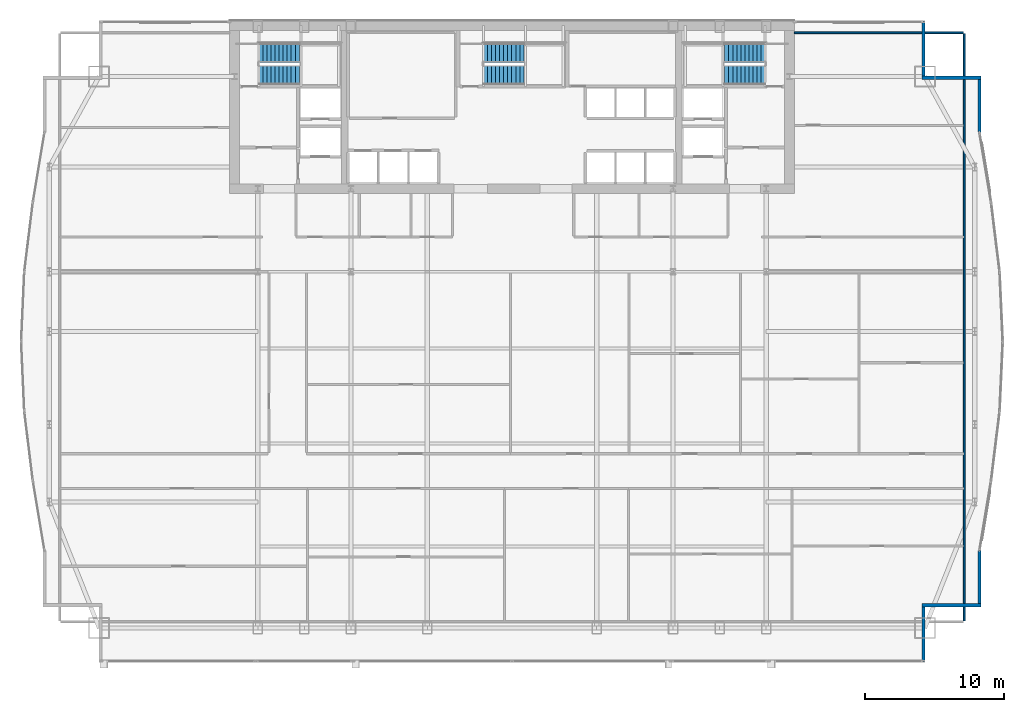
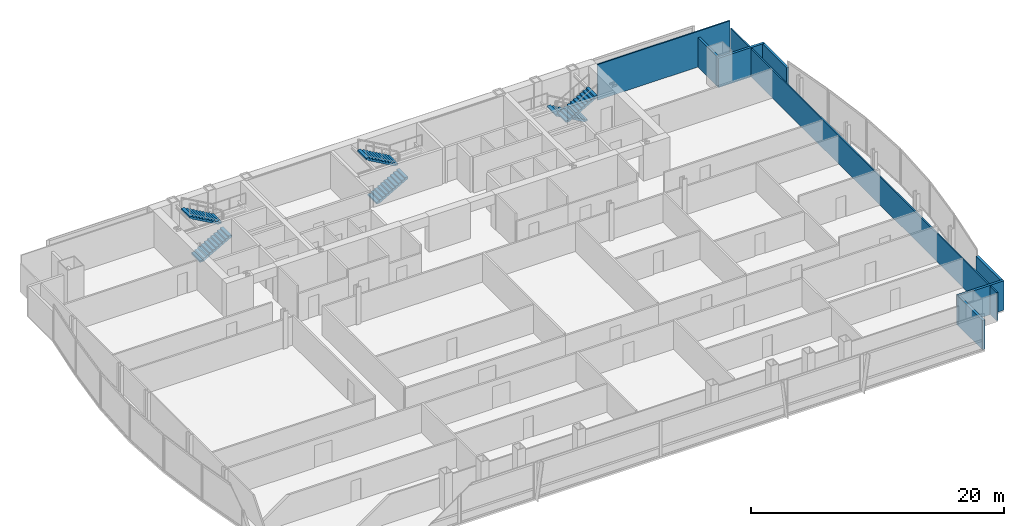
# One storey, part 29 of 31: 8 walls, 6 stair flights, 3 elements without a shape of their own.
"""IFC4 building model written with IfcOpenShell, lengths in metres."""

from ifc_helpers import new_model, si_unit, direction, frame, frame_2d, origin, place, context, subcontext, project, spatial, polyline, rectangle, outline, extrude, material, layer, layer_set, type_object, element, aggregate, save


model = new_model("IFC4")

# Units and contexts
model_context = context("Model", 3, precision=1e-05, world=origin(), true_north=direction((0.0, 1.0)))
body_context = subcontext(model_context, "Body", "Model", "MODEL_VIEW")
ifc_project = project(units=[si_unit("LENGTHUNIT", "METRE"), si_unit("AREAUNIT", "SQUARE_METRE"), si_unit("VOLUMEUNIT", "CUBIC_METRE"), si_unit("PLANEANGLEUNIT", "RADIAN"), si_unit("MASSUNIT", "GRAM", prefix="KILO")], contexts=[model_context])

# Site, building, storey
site_placement = place(None, origin())
site = spatial("IfcSite", under=ifc_project, at=site_placement, CompositionType="ELEMENT")
building_placement = place(site_placement, origin())
building = spatial("IfcBuilding", under=site, at=building_placement, Name="Khoronbel Lancet Exchange", CompositionType="ELEMENT")
storey_placement = place(building_placement, frame((0.0, 0.0, 121.800048828125)))
storey = spatial("IfcBuildingStorey", under=building, at=storey_placement, Name="L29", CompositionType="ELEMENT", Elevation=121.800048828125)

# Walls
ifc_material_1 = material(Name="Precast concrete C40/50", Category="concrete")
ifc_layer_1 = layer(ifc_material_1, 0.25, Name="Precast concrete C40/50")
ifc_layer_set_1 = layer_set([ifc_layer_1], Name="Precast concrete C40/50")
wall_type_1 = type_object("IfcWallType", Name="WL-EXT250", PredefinedType="SOLIDWALL", material=ifc_layer_set_1)
wall_1_placement = place(storey_placement, frame((65.9599609375, 53.6298828125, 0.0), z_axis=(0.0, 0.0, 1.0), x_axis=(0.0, -1.0, 0.0)))
element("IfcWall", 1, at=wall_1_placement, inside=storey, type_object=wall_type_1, Name="Level L29 notched-corner limestone pier 14", PredefinedType="SOLIDWALL", context=body_context, shape_type="SweptSolid", body=[
    extrude(rectangle(XDim=3.909912109375, YDim=0.219970703125, at=frame_2d((1.955078125, 0.0))), origin(), (0.0, 0.0, 1.0), 2.829833984375),
])
wall_2_placement = place(storey_placement, frame((65.85009765625, 49.610107421875, 0.0), z_axis=(0.0, 0.0, 1.0), x_axis=(1.0, 0.0, 0.0)))
element("IfcWall", 2, at=wall_2_placement, inside=storey, type_object=wall_type_1, Name="Level L29 notched-corner limestone pier 15", PredefinedType="SOLIDWALL", context=body_context, shape_type="SweptSolid", body=[
    extrude(rectangle(XDim=4.219970703125, YDim=0.219970703125, at=frame_2d((2.10986328125, 0.0))), origin(), (0.0, 0.0, 1.0), 2.829833984375),
])
wall_3_placement = place(storey_placement, frame((69.9599609375, 49.5, 0.0), z_axis=(0.0, 0.0, 1.0), x_axis=(0.0, -1.0, 0.0)))
element("IfcWall", 3, at=wall_3_placement, inside=storey, type_object=wall_type_1, Name="Level L29 notched-corner limestone pier 16", PredefinedType="SOLIDWALL", context=body_context, shape_type="SweptSolid", body=[
    extrude(rectangle(XDim=3.827392578125, YDim=0.219970703125, at=frame_2d((1.91357421875, 0.0))), origin(), (0.0, 0.0, 1.0), 2.829833984375),
])
wall_4_placement = place(storey_placement, frame((69.9599609375, 15.7275390625, 0.0), z_axis=(0.0, 0.0, 1.0), x_axis=(0.0, -1.0, 0.0)))
element("IfcWall", 4, at=wall_4_placement, inside=storey, type_object=wall_type_1, Name="Level L29 notched-corner limestone pier 23", PredefinedType="SOLIDWALL", context=body_context, shape_type="SweptSolid", body=[
    extrude(rectangle(XDim=3.82763671875, YDim=0.219970703125, at=frame_2d((1.913818359375, 0.0))), origin(), (0.0, 0.0, 1.0), 2.829833984375),
])
wall_5_placement = place(storey_placement, frame((70.070068359375, 11.7900390625, 0.0), z_axis=(0.0, 0.0, 1.0), x_axis=(-1.0, 0.0, 0.0)))
element("IfcWall", 5, at=wall_5_placement, inside=storey, type_object=wall_type_1, Name="Level L29 notched-corner limestone pier 24", PredefinedType="SOLIDWALL", context=body_context, shape_type="SweptSolid", body=[
    extrude(rectangle(XDim=4.219970703125, YDim=0.219970703125, at=frame_2d((2.10986328125, 0.0))), origin(), (0.0, 0.0, 1.0), 2.829833984375),
])
wall_6_placement = place(storey_placement, frame((65.9599609375, 11.679931640625, 0.0), z_axis=(0.0, 0.0, 1.0), x_axis=(0.0, -1.0, 0.0)))
element("IfcWall", 6, at=wall_6_placement, inside=storey, type_object=wall_type_1, Name="Level L29 notched-corner limestone pier 25", PredefinedType="SOLIDWALL", context=body_context, shape_type="SweptSolid", body=[
    extrude(rectangle(XDim=3.909912109375, YDim=0.219970703125, at=frame_2d((1.955078125, 0.0))), origin(), (0.0, 0.0, 1.0), 2.829833984375),
])
ifc_material_2 = material(Name="Acoustic Metal-Stud & Mineral-Wool Gypsum Partition 120 mm", Category="gypsum")
ifc_layer_2 = layer(ifc_material_2, 0.1201171875, Name="Acoustic Metal-Stud & Mineral-Wool Gypsum Partition 120 mm")
ifc_layer_set_2 = layer_set([ifc_layer_2], Name="Acoustic Metal-Stud & Mineral-Wool Gypsum Partition 120 mm")
wall_type_2 = type_object("IfcWallType", Name="WL-PRT120", PredefinedType="PARTITIONING", material=ifc_layer_set_2)
wall_7_placement = place(storey_placement, frame((68.8701171875, 10.6650390625, 0.0), z_axis=(0.0, 0.0, 1.0), x_axis=(0.0, 1.0, 0.0)))
element("IfcWall", 7, at=wall_7_placement, inside=storey, type_object=wall_type_2, Name="Level L29 interior partition PW-LIN-E", PredefinedType="PARTITIONING", context=body_context, shape_type="SweptSolid", body=[
    extrude(rectangle(XDim=42.10986328125, YDim=0.1201171875, at=frame_2d((21.054931640625, 0.0))), origin(), (0.0, 0.0, 1.0), 2.72998046875),
])
wall_8_placement = place(storey_placement, frame((56.699951171875, 52.840087890625, 0.0), z_axis=(0.0, 0.0, 1.0), x_axis=(1.0, 0.0, 0.0)))
element("IfcWall", 8, at=wall_8_placement, inside=storey, type_object=wall_type_2, Name="Level L29 interior partition PW-LIN-NE", PredefinedType="PARTITIONING", context=body_context, shape_type="SweptSolid", body=[
    extrude(rectangle(XDim=12.10498046875, YDim=0.1201171875, at=frame_2d((6.052490234375, 0.0))), origin(), (0.0, 0.0, 1.0), 3.43994140625),
])

# Stair, stair flights
ifc_material_3 = material(Name="Concrete C40/50", Category="concrete")
stair_type = type_object("IfcStairType", Name="STR-CORE150", PredefinedType="HALF_TURN_STAIR", material=ifc_material_3)
stair_1_placement = place(storey_placement, origin())
stair_1 = element("IfcStair", 9, at=stair_1_placement, inside=storey, type_object=stair_type, Name="L29 Protected Exit Stair ST1", PredefinedType="HALF_TURN_STAIR")
stair_flight_type = type_object("IfcStairFlightType", Name="STF-150", PredefinedType="STRAIGHT", material=ifc_material_3)
stair_flight_1_placement = place(storey_placement, frame((18.300048828125, 49.81005859375, 0.0), z_axis=(0.0, 0.0, 1.0), x_axis=(1.0, 0.0, 0.0)))
stair_flight_1 = element("IfcStairFlight", 10, at=stair_flight_1_placement, type_object=stair_flight_type, Name="ST1 flight 1", NumberOfRisers=11, NumberOfTreads=10, PredefinedType="STRAIGHT", RiserHeight=0.163636364, TreadLength=0.29, context=body_context, shape_type="SweptSolid", body=[
    extrude(outline(polyline([(0.0, 0.0), (0.0, 0.16357421875), (0.2900390625, 0.16357421875), (0.2900390625, 0.327392578125), (0.580078125, 0.327392578125), (0.580078125, 0.490966796875), (0.8701171875, 0.490966796875), (0.8701171875, 0.654541015625), (1.159912109375, 0.654541015625), (1.159912109375, 0.818115234375), (1.449951171875, 0.818115234375), (1.449951171875, 0.98193359375), (1.739990234375, 0.98193359375), (1.739990234375, 1.1455078125), (2.030029296875, 1.1455078125), (2.030029296875, 1.30908203125), (2.320068359375, 1.30908203125), (2.320068359375, 1.47265625), (2.610107421875, 1.47265625), (2.610107421875, 1.636474609375), (2.89990234375, 1.636474609375), (2.89990234375, 1.800048828125), (2.89990234375, 1.46435546875), (0.304931640625, 0.0), (0.0, 0.0)])), frame((0.0, 0.68994140625, 0.0), z_axis=(0.0, -1.0, 0.0), x_axis=(1.0, 0.0, 0.0)), (0.0, 0.0, 1.0), 1.3798828125),
])
stair_flight_2_placement = place(storey_placement, frame((21.199951171875, 51.409912109375, 1.800048828125), z_axis=(0.0, 0.0, 1.0), x_axis=(-1.0, 0.0, 0.0)))
stair_flight_2 = element("IfcStairFlight", 11, at=stair_flight_2_placement, type_object=stair_flight_type, Name="ST1 flight 2", NumberOfRisers=11, NumberOfTreads=10, PredefinedType="STRAIGHT", RiserHeight=0.163636364, TreadLength=0.29, context=body_context, shape_type="SweptSolid", body=[
    extrude(outline(polyline([(0.0, 0.0), (0.0, 0.16357421875), (0.2900390625, 0.16357421875), (0.2900390625, 0.327392578125), (0.580078125, 0.327392578125), (0.580078125, 0.490966796875), (0.8701171875, 0.490966796875), (0.8701171875, 0.654541015625), (1.159912109375, 0.654541015625), (1.159912109375, 0.818115234375), (1.449951171875, 0.818115234375), (1.449951171875, 0.98193359375), (1.739990234375, 0.98193359375), (1.739990234375, 1.1455078125), (2.030029296875, 1.1455078125), (2.030029296875, 1.30908203125), (2.320068359375, 1.30908203125), (2.320068359375, 1.47265625), (2.610107421875, 1.47265625), (2.610107421875, 1.636474609375), (2.89990234375, 1.636474609375), (2.89990234375, 1.800048828125), (2.89990234375, 1.46435546875), (0.304931640625, 0.0), (0.0, 0.0)])), frame((0.0, 0.68994140625, 0.0), z_axis=(0.0, -1.0, 0.0), x_axis=(1.0, 0.0, 0.0)), (0.0, 0.0, 1.0), 1.3798828125),
])
aggregate(stair_1, [stair_flight_1, stair_flight_2])

stair_2_placement = place(storey_placement, origin())
stair_2 = element("IfcStair", 12, at=stair_2_placement, inside=storey, type_object=stair_type, Name="L29 Protected Exit Stair ST2", PredefinedType="HALF_TURN_STAIR")
stair_flight_3_placement = place(storey_placement, frame((54.60009765625, 51.409912109375, 0.0), z_axis=(0.0, 0.0, 1.0), x_axis=(-1.0, 0.0, 0.0)))
stair_flight_3 = element("IfcStairFlight", 13, at=stair_flight_3_placement, type_object=stair_flight_type, Name="ST2 flight 1", NumberOfRisers=11, NumberOfTreads=10, PredefinedType="STRAIGHT", RiserHeight=0.163636364, TreadLength=0.29, context=body_context, shape_type="SweptSolid", body=[
    extrude(outline(polyline([(0.0, 0.0), (0.0, 0.16357421875), (0.2900390625, 0.16357421875), (0.2900390625, 0.327392578125), (0.580078125, 0.327392578125), (0.580078125, 0.490966796875), (0.8701171875, 0.490966796875), (0.8701171875, 0.654541015625), (1.159912109375, 0.654541015625), (1.159912109375, 0.818115234375), (1.449951171875, 0.818115234375), (1.449951171875, 0.98193359375), (1.739990234375, 0.98193359375), (1.739990234375, 1.1455078125), (2.030029296875, 1.1455078125), (2.030029296875, 1.30908203125), (2.320068359375, 1.30908203125), (2.320068359375, 1.47265625), (2.610107421875, 1.47265625), (2.610107421875, 1.636474609375), (2.89990234375, 1.636474609375), (2.89990234375, 1.800048828125), (2.89990234375, 1.46435546875), (0.304931640625, 0.0), (0.0, 0.0)])), frame((0.0, 0.68994140625, 0.0), z_axis=(0.0, -1.0, 0.0), x_axis=(1.0, 0.0, 0.0)), (0.0, 0.0, 1.0), 1.3798828125),
])
stair_flight_4_placement = place(storey_placement, frame((51.699951171875, 49.81005859375, 1.800048828125), z_axis=(0.0, 0.0, 1.0), x_axis=(1.0, 0.0, 0.0)))
stair_flight_4 = element("IfcStairFlight", 14, at=stair_flight_4_placement, type_object=stair_flight_type, Name="ST2 flight 2", NumberOfRisers=11, NumberOfTreads=10, PredefinedType="STRAIGHT", RiserHeight=0.163636364, TreadLength=0.29, context=body_context, shape_type="SweptSolid", body=[
    extrude(outline(polyline([(0.0, 0.0), (0.0, 0.16357421875), (0.2900390625, 0.16357421875), (0.2900390625, 0.327392578125), (0.580078125, 0.327392578125), (0.580078125, 0.490966796875), (0.8701171875, 0.490966796875), (0.8701171875, 0.654541015625), (1.159912109375, 0.654541015625), (1.159912109375, 0.818115234375), (1.449951171875, 0.818115234375), (1.449951171875, 0.98193359375), (1.739990234375, 0.98193359375), (1.739990234375, 1.1455078125), (2.030029296875, 1.1455078125), (2.030029296875, 1.30908203125), (2.320068359375, 1.30908203125), (2.320068359375, 1.47265625), (2.610107421875, 1.47265625), (2.610107421875, 1.636474609375), (2.89990234375, 1.636474609375), (2.89990234375, 1.800048828125), (2.89990234375, 1.46435546875), (0.304931640625, 0.0), (0.0, 0.0)])), frame((0.0, 0.68994140625, 0.0), z_axis=(0.0, -1.0, 0.0), x_axis=(1.0, 0.0, 0.0)), (0.0, 0.0, 1.0), 1.3798828125),
])
aggregate(stair_2, [stair_flight_3, stair_flight_4])

stair_3_placement = place(storey_placement, origin())
stair_3 = element("IfcStair", 15, at=stair_3_placement, inside=storey, type_object=stair_type, Name="L29 Protected Exit Stair ST3", PredefinedType="HALF_TURN_STAIR")
stair_flight_5_placement = place(storey_placement, frame((34.39990234375, 49.81005859375, 0.0), z_axis=(0.0, 0.0, 1.0), x_axis=(1.0, 0.0, 0.0)))
stair_flight_5 = element("IfcStairFlight", 16, at=stair_flight_5_placement, type_object=stair_flight_type, Name="ST3 flight 1", NumberOfRisers=11, NumberOfTreads=10, PredefinedType="STRAIGHT", RiserHeight=0.163636364, TreadLength=0.29, context=body_context, shape_type="SweptSolid", body=[
    extrude(outline(polyline([(0.0, 0.0), (0.0, 0.16357421875), (0.2900390625, 0.16357421875), (0.2900390625, 0.327392578125), (0.580078125, 0.327392578125), (0.580078125, 0.490966796875), (0.8701171875, 0.490966796875), (0.8701171875, 0.654541015625), (1.159912109375, 0.654541015625), (1.159912109375, 0.818115234375), (1.449951171875, 0.818115234375), (1.449951171875, 0.98193359375), (1.739990234375, 0.98193359375), (1.739990234375, 1.1455078125), (2.030029296875, 1.1455078125), (2.030029296875, 1.30908203125), (2.320068359375, 1.30908203125), (2.320068359375, 1.47265625), (2.610107421875, 1.47265625), (2.610107421875, 1.636474609375), (2.89990234375, 1.636474609375), (2.89990234375, 1.800048828125), (2.89990234375, 1.46435546875), (0.304931640625, 0.0), (0.0, 0.0)])), frame((0.0, 0.68994140625, 0.0), z_axis=(0.0, -1.0, 0.0), x_axis=(1.0, 0.0, 0.0)), (0.0, 0.0, 1.0), 1.3798828125),
])
stair_flight_6_placement = place(storey_placement, frame((37.300048828125, 51.409912109375, 1.800048828125), z_axis=(0.0, 0.0, 1.0), x_axis=(-1.0, 0.0, 0.0)))
stair_flight_6 = element("IfcStairFlight", 17, at=stair_flight_6_placement, type_object=stair_flight_type, Name="ST3 flight 2", NumberOfRisers=11, NumberOfTreads=10, PredefinedType="STRAIGHT", RiserHeight=0.163636364, TreadLength=0.29, context=body_context, shape_type="SweptSolid", body=[
    extrude(outline(polyline([(0.0, 0.0), (0.0, 0.16357421875), (0.2900390625, 0.16357421875), (0.2900390625, 0.327392578125), (0.580078125, 0.327392578125), (0.580078125, 0.490966796875), (0.8701171875, 0.490966796875), (0.8701171875, 0.654541015625), (1.159912109375, 0.654541015625), (1.159912109375, 0.818115234375), (1.449951171875, 0.818115234375), (1.449951171875, 0.98193359375), (1.739990234375, 0.98193359375), (1.739990234375, 1.1455078125), (2.030029296875, 1.1455078125), (2.030029296875, 1.30908203125), (2.320068359375, 1.30908203125), (2.320068359375, 1.47265625), (2.610107421875, 1.47265625), (2.610107421875, 1.636474609375), (2.89990234375, 1.636474609375), (2.89990234375, 1.800048828125), (2.89990234375, 1.46435546875), (0.304931640625, 0.0), (0.0, 0.0)])), frame((0.0, 0.68994140625, 0.0), z_axis=(0.0, -1.0, 0.0), x_axis=(1.0, 0.0, 0.0)), (0.0, 0.0, 1.0), 1.3798828125),
])
aggregate(stair_3, [stair_flight_5, stair_flight_6])

save(model, "model.ifc")
